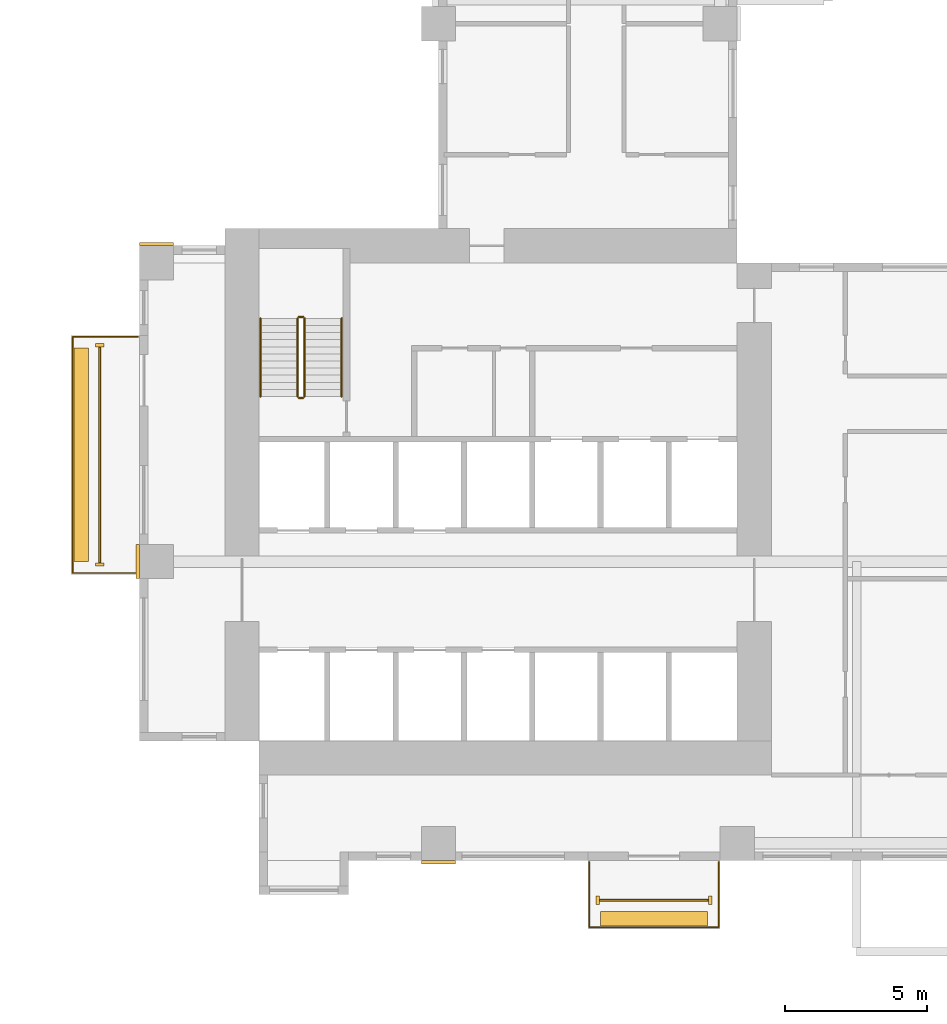
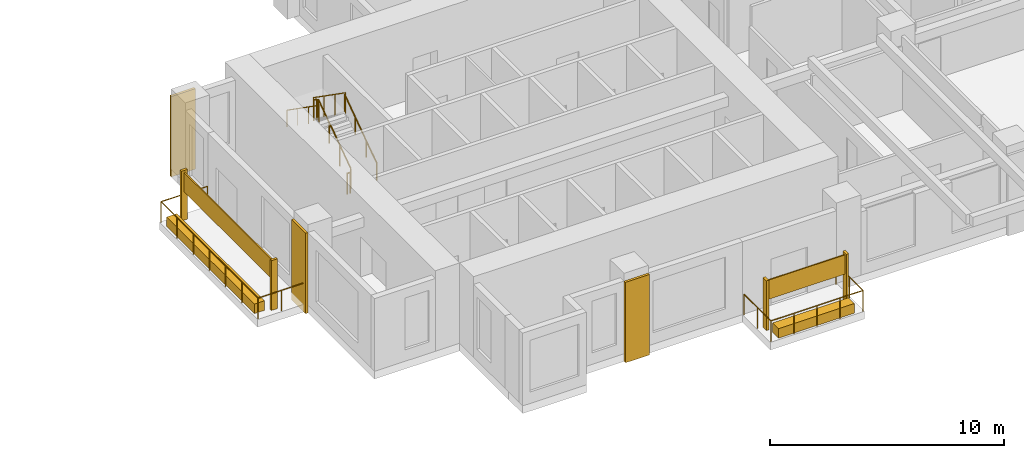
# One storey, part 11 of 15: 11 coverings, 8 railings.
"""IFC4 building model written with IfcOpenShell, lengths in metres."""

from ifc_helpers import new_model, si_unit, direction, frame, origin, origin_2d, place, context, subcontext, project, spatial, rectangle, circle, extrude, source, transform, mapped, material, type_object, element, save


model = new_model("IFC4")

# Units and contexts
model_context = context("Model", 3, precision=1e-05, world=origin(), true_north=direction((0.0, 1.0)))
body_context = subcontext(model_context, "Body", "Model", "MODEL_VIEW")
ifc_project = project(units=[si_unit("LENGTHUNIT", "METRE"), si_unit("AREAUNIT", "SQUARE_METRE"), si_unit("VOLUMEUNIT", "CUBIC_METRE"), si_unit("PLANEANGLEUNIT", "RADIAN"), si_unit("MASSUNIT", "GRAM", prefix="KILO")], contexts=[model_context])

# Site, building, storey
site_placement = place(None, origin())
site = spatial("IfcSite", under=ifc_project, at=site_placement, CompositionType="ELEMENT")
building_placement = place(site_placement, origin())
building = spatial("IfcBuilding", under=site, at=building_placement, Name="Aurelian Terraces", CompositionType="ELEMENT")
storey_placement = place(building_placement, frame((0.0, 0.0, 74.1)))
storey = spatial("IfcBuildingStorey", under=building, at=storey_placement, Name="L15", CompositionType="ELEMENT", Elevation=74.1)

# Railing
ifc_material_1 = material(Name="Anodised aluminium", Category="aluminium")
railing_type_1 = type_object("IfcRailingType", Name="GUARD-1100", PredefinedType="GUARDRAIL", material=ifc_material_1)
railing_1_placement = place(storey_placement, frame((-0.05, 18.4, 0.0)))
element("IfcRailing", 1, at=railing_1_placement, inside=storey, type_object=railing_type_1, Name="Balcony guard L15 F18.39", PredefinedType="GUARDRAIL", context=body_context, shape_type="SweptSolid", body=[
    extrude(circle(Radius=0.024, at=origin_2d()), frame((0.0, 0.0, 1.076), z_axis=(-1.0, 0.0, 0.0), x_axis=(0.0, -1.0, 0.0)), (0.0, 0.0, 1.0), 2.3),
    extrude(circle(Radius=0.024, at=origin_2d()), frame((-2.3, 0.0, 1.076), z_axis=(0.0, -1.0, 0.0), x_axis=(1.0, 0.0, 0.0)), (0.0, 0.0, 1.0), 8.3),
    extrude(circle(Radius=0.024, at=origin_2d()), frame((-2.3, -8.3, 1.076), z_axis=(1.0, 0.0, 0.0), x_axis=(0.0, 1.0, 0.0)), (0.0, 0.0, 1.0), 2.3),
    extrude(circle(Radius=0.021, at=origin_2d()), origin(), (0.0, 0.0, 1.0), 1.052),
    extrude(circle(Radius=0.021, at=origin_2d()), frame((-1.15, 0.0, 0.0)), (0.0, 0.0, 1.0), 1.052),
    extrude(circle(Radius=0.021, at=origin_2d()), frame((-2.3, 0.0, 0.0)), (0.0, 0.0, 1.0), 1.052),
    extrude(circle(Radius=0.021, at=origin_2d()), frame((-2.3, -1.3833, 0.0)), (0.0, 0.0, 1.0), 1.052),
    extrude(circle(Radius=0.021, at=origin_2d()), frame((-2.3, -2.7667, 0.0)), (0.0, 0.0, 1.0), 1.052),
    extrude(circle(Radius=0.021, at=origin_2d()), frame((-2.3, -4.15, 0.0)), (0.0, 0.0, 1.0), 1.052),
    extrude(circle(Radius=0.021, at=origin_2d()), frame((-2.3, -5.5333, 0.0)), (0.0, 0.0, 1.0), 1.052),
    extrude(circle(Radius=0.021, at=origin_2d()), frame((-2.3, -6.9167, 0.0)), (0.0, 0.0, 1.0), 1.052),
    extrude(circle(Radius=0.021, at=origin_2d()), frame((-2.3, -8.3, 0.0)), (0.0, 0.0, 1.0), 1.052),
    extrude(circle(Radius=0.021, at=origin_2d()), frame((-1.15, -8.3, 0.0)), (0.0, 0.0, 1.0), 1.052),
    extrude(circle(Radius=0.021, at=origin_2d()), frame((0.0, -8.3, 0.0)), (0.0, 0.0, 1.0), 1.052),
])

# Coverings
ifc_material_2 = material(Name="Terracotta planter with planting soil", Category="masonry")
covering_type_1 = type_object("IfcCoveringType", Name="PLANTER-TROUGH", PredefinedType="USERDEFINED", material=ifc_material_2)
covering_1_placement = place(storey_placement, frame((-2.05, 14.25, 0.0), z_axis=(0.0, 0.0, 1.0), x_axis=(1.0, 0.0, 0.0)))
element("IfcCovering", 2, at=covering_1_placement, inside=storey, type_object=covering_type_1, Name="PLANTER L15 L15-F18-39", ObjectType="PLANTER", PredefinedType="USERDEFINED", context=body_context, shape_type="SweptSolid", body=[
    extrude(rectangle(XDim=0.5, YDim=7.5, at=origin_2d()), origin(), (0.0, 0.0, 1.0), 0.5),
])
ifc_material_3 = material(Name="Terracotta rainscreen cladding", Category="masonry")
covering_type_2 = type_object("IfcCoveringType", Name="SCREEN-TC", PredefinedType="CLADDING", material=ifc_material_3)
covering_2_placement = place(storey_placement, frame((-1.4, 14.25, 1.5), z_axis=(0.0, 0.0, 1.0), x_axis=(1.0, 0.0, 0.0)))
element("IfcCovering", 3, at=covering_2_placement, inside=storey, type_object=covering_type_2, Name="SCREEN L15 L15-F18-39", PredefinedType="CLADDING", context=body_context, shape_type="SweptSolid", body=[
    extrude(rectangle(XDim=0.06, YDim=7.58, at=origin_2d()), origin(), (0.0, 0.0, 1.0), 1.0),
])
ifc_material_4 = material(Name="Terracotta rainscreen cladding relief", Category="masonry")
covering_type_3 = type_object("IfcCoveringType", Name="FIN-TC", PredefinedType="CLADDING", material=ifc_material_4)
shared_shape_1 = source(origin(), body_context, "Body", "SweptSolid", [
    extrude(rectangle(XDim=0.3, YDim=0.12, at=origin_2d()), origin(), (0.0, 0.0, 1.0), 2.6),
])
for number, where, z_axis, x_axis, name in (
    (4, (-1.4, 18.1, 0.0), (0.0, 0.0, 1.0), (1.0, 0.0, 0.0), "FIN L15 L15-F18-39.1"),
    (5, (-1.4, 10.4, 0.0), (0.0, 0.0, 1.0), (1.0, 0.0, 0.0), "FIN L15 L15-F18-39.2"),
):
    element("IfcCovering", number, at=place(storey_placement, frame(where, z_axis=z_axis, x_axis=x_axis)), inside=storey, type_object=covering_type_3, Name=name, PredefinedType="CLADDING", context=body_context, shape_type="MappedRepresentation", body=[
        mapped(shared_shape_1, transform((0.0, 0.0, 0.0), scale=1.0)),
    ])
covering_type_4 = type_object("IfcCoveringType", Name="BAGUETTE-TC", PredefinedType="CLADDING", material=ifc_material_4)
shared_shape_2 = source(origin(), body_context, "Body", "SweptSolid", [
    extrude(rectangle(XDim=1.2, YDim=0.12, at=origin_2d()), origin(), (0.0, 0.0, 1.0), 4.2),
])
for number, where, z_axis, x_axis, name in (
    (6, (10.5, -0.06, -0.4), (0.0, 0.0, 1.0), (1.0, 0.0, 0.0), "BAGUETTE pier L15 1"),
    (7, (0.6, 21.66, -0.4), (0.0, 0.0, 1.0), (1.0, 0.0, 0.0), "BAGUETTE pier L15 9"),
):
    element("IfcCovering", number, at=place(storey_placement, frame(where, z_axis=z_axis, x_axis=x_axis)), inside=storey, type_object=covering_type_4, Name=name, PredefinedType="CLADDING", context=body_context, shape_type="MappedRepresentation", body=[
        mapped(shared_shape_2, transform((0.0, 0.0, 0.0), scale=1.0)),
    ])
shared_shape_3 = source(origin(), body_context, "Body", "SweptSolid", [
    extrude(rectangle(XDim=0.12, YDim=1.2, at=origin_2d()), origin(), (0.0, 0.0, 1.0), 4.2),
])
covering_3_placement = place(storey_placement, frame((-0.06, 10.5, -0.4), z_axis=(0.0, 0.0, 1.0), x_axis=(1.0, 0.0, 0.0)))
element("IfcCovering", 8, at=covering_3_placement, inside=storey, type_object=covering_type_4, Name="BAGUETTE pier L15 5", PredefinedType="CLADDING", context=body_context, shape_type="MappedRepresentation", body=[
    mapped(shared_shape_3, transform((0.0, 0.0, 0.0), scale=1.0)),
])
shared_shape_4 = source(origin(), body_context, "Body", "SweptSolid", [
    extrude(rectangle(XDim=0.12, YDim=0.3, at=origin_2d()), origin(), (0.0, 0.0, 1.0), 2.6),
])
for number, where, z_axis, x_axis, name in (
    (9, (16.1, -1.4, 0.0), (0.0, 0.0, 1.0), (1.0, 0.0, 0.0), "FIN L15 L15-F01-04.1"),
    (10, (20.05, -1.4, 0.0), (0.0, 0.0, 1.0), (1.0, 0.0, 0.0), "FIN L15 L15-F01-04.2"),
):
    element("IfcCovering", number, at=place(storey_placement, frame(where, z_axis=z_axis, x_axis=x_axis)), inside=storey, type_object=covering_type_3, Name=name, PredefinedType="CLADDING", context=body_context, shape_type="MappedRepresentation", body=[
        mapped(shared_shape_4, transform((0.0, 0.0, 0.0), scale=1.0)),
    ])

# Railing
shared_shape_5 = source(origin(), body_context, "Body", "SweptSolid", [
    extrude(circle(Radius=0.024, at=origin_2d()), frame((0.0, 0.0, 1.076), z_axis=(0.0, -1.0, 0.0), x_axis=(1.0, 0.0, 0.0)), (0.0, 0.0, 1.0), 2.3),
    extrude(circle(Radius=0.024, at=origin_2d()), frame((0.0, -2.3, 1.076), z_axis=(1.0, 0.0, 0.0), x_axis=(0.0, 1.0, 0.0)), (0.0, 0.0, 1.0), 4.55),
    extrude(circle(Radius=0.024, at=origin_2d()), frame((4.55, -2.3, 1.076), z_axis=(0.0, 1.0, 0.0), x_axis=(-1.0, 0.0, 0.0)), (0.0, 0.0, 1.0), 2.3),
    extrude(circle(Radius=0.021, at=origin_2d()), origin(), (0.0, 0.0, 1.0), 1.052),
    extrude(circle(Radius=0.021, at=origin_2d()), frame((0.0, -1.15, 0.0)), (0.0, 0.0, 1.0), 1.052),
    extrude(circle(Radius=0.021, at=origin_2d()), frame((0.0, -2.3, 0.0)), (0.0, 0.0, 1.0), 1.052),
    extrude(circle(Radius=0.021, at=origin_2d()), frame((1.1375, -2.3, 0.0)), (0.0, 0.0, 1.0), 1.052),
    extrude(circle(Radius=0.021, at=origin_2d()), frame((2.275, -2.3, 0.0)), (0.0, 0.0, 1.0), 1.052),
    extrude(circle(Radius=0.021, at=origin_2d()), frame((3.4125, -2.3, 0.0)), (0.0, 0.0, 1.0), 1.052),
    extrude(circle(Radius=0.021, at=origin_2d()), frame((4.55, -2.3, 0.0)), (0.0, 0.0, 1.0), 1.052),
    extrude(circle(Radius=0.021, at=origin_2d()), frame((4.55, -1.15, 0.0)), (0.0, 0.0, 1.0), 1.052),
    extrude(circle(Radius=0.021, at=origin_2d()), frame((4.55, 0.0, 0.0)), (0.0, 0.0, 1.0), 1.052),
])
railing_2_placement = place(storey_placement, frame((15.8, -0.05, 0.0)))
element("IfcRailing", 11, at=railing_2_placement, inside=storey, type_object=railing_type_1, Name="Balcony guard L15 F01.4", PredefinedType="GUARDRAIL", context=body_context, shape_type="MappedRepresentation", body=[
    mapped(shared_shape_5, transform((0.0, 0.0, 0.0), scale=1.0)),
])

# Coverings
shared_shape_6 = source(origin(), body_context, "Body", "SweptSolid", [
    extrude(rectangle(XDim=3.75, YDim=0.5, at=origin_2d()), origin(), (0.0, 0.0, 1.0), 0.5),
])
covering_4_placement = place(storey_placement, frame((18.075, -2.05, 0.0), z_axis=(0.0, 0.0, 1.0), x_axis=(1.0, 0.0, 0.0)))
element("IfcCovering", 12, at=covering_4_placement, inside=storey, type_object=covering_type_1, Name="PLANTER L15 L15-F01-04", ObjectType="PLANTER", PredefinedType="USERDEFINED", context=body_context, shape_type="MappedRepresentation", body=[
    mapped(shared_shape_6, transform((0.0, 0.0, 0.0), scale=1.0)),
])
shared_shape_7 = source(origin(), body_context, "Body", "SweptSolid", [
    extrude(rectangle(XDim=3.83, YDim=0.06, at=origin_2d()), origin(), (0.0, 0.0, 1.0), 1.0),
])
covering_5_placement = place(storey_placement, frame((18.075, -1.4, 1.5), z_axis=(0.0, 0.0, 1.0), x_axis=(1.0, 0.0, 0.0)))
element("IfcCovering", 13, at=covering_5_placement, inside=storey, type_object=covering_type_2, Name="SCREEN L15 L15-F01-04", PredefinedType="CLADDING", context=body_context, shape_type="MappedRepresentation", body=[
    mapped(shared_shape_7, transform((0.0, 0.0, 0.0), scale=1.0)),
])

# Railings
ifc_material_5 = material(Name="Stainless steel", Category="steel")
railing_type_2 = type_object("IfcRailingType", Name="Stair guard 1100", PredefinedType="GUARDRAIL", material=ifc_material_5)
shared_shape_8 = source(origin(), body_context, "Body", "SweptSolid", [
    extrude(circle(Radius=0.024, at=origin_2d()), frame((0.0, 0.0, 1.076), z_axis=(-1.0, 0.0, 0.0), x_axis=(0.0, -1.0, 0.0)), (0.0, 0.0, 1.0), 0.15),
    extrude(circle(Radius=0.021, at=origin_2d()), origin(), (0.0, 0.0, 1.0), 1.052),
    extrude(circle(Radius=0.021, at=origin_2d()), frame((-0.15, 0.0, 0.0)), (0.0, 0.0, 1.0), 1.052),
])
for number, where, name in (
    (14, (5.75, 19.1, 2.1), "L15 S1 stair guard 2"),
    (15, (5.75, 16.25, 0.0), "L15 S1 stair guard 4"),
):
    element("IfcRailing", number, at=place(storey_placement, frame(where)), inside=storey, type_object=railing_type_2, Name=name, PredefinedType="GUARDRAIL", context=body_context, shape_type="MappedRepresentation", body=[
        mapped(shared_shape_8, transform((0.0, 0.0, 0.0), scale=1.0)),
    ])
shared_shape_9 = source(origin(), body_context, "Body", "SweptSolid", [
    extrude(circle(Radius=0.024, at=origin_2d()), frame((0.0, 0.0, 1.076), z_axis=(0.0, 0.819231920519, 0.573462344363), x_axis=(-1.0, 0.0, 0.0)), (0.0, 0.0, 1.0), 3.3568),
    extrude(circle(Radius=0.021, at=origin_2d()), origin(), (0.0, 0.0, 1.0), 1.052),
    extrude(circle(Radius=0.021, at=origin_2d()), frame((0.0, 0.9167, 0.6417)), (0.0, 0.0, 1.0), 1.052),
    extrude(circle(Radius=0.021, at=origin_2d()), frame((0.0, 1.8333, 1.2833)), (0.0, 0.0, 1.0), 1.052),
    extrude(circle(Radius=0.021, at=origin_2d()), frame((0.0, 2.75, 1.925)), (0.0, 0.0, 1.0), 1.052),
])
railing_3_placement = place(storey_placement, frame((5.8, 16.3, 0.175)))
element("IfcRailing", 16, at=railing_3_placement, inside=storey, type_object=railing_type_2, Name="L15 S1 stair guard 1", PredefinedType="GUARDRAIL", context=body_context, shape_type="MappedRepresentation", body=[
    mapped(shared_shape_9, transform((0.0, 0.0, 0.0), scale=1.0)),
])
shared_shape_10 = source(origin(), body_context, "Body", "SweptSolid", [
    extrude(circle(Radius=0.024, at=origin_2d()), frame((0.0, 0.0, 1.076), z_axis=(0.0, -0.819231920519, 0.573462344363), x_axis=(1.0, 0.0, 0.0)), (0.0, 0.0, 1.0), 3.3568),
    extrude(circle(Radius=0.021, at=origin_2d()), origin(), (0.0, 0.0, 1.0), 1.052),
    extrude(circle(Radius=0.021, at=origin_2d()), frame((0.0, -0.9167, 0.6417)), (0.0, 0.0, 1.0), 1.052),
    extrude(circle(Radius=0.021, at=origin_2d()), frame((0.0, -1.8333, 1.2833)), (0.0, 0.0, 1.0), 1.052),
    extrude(circle(Radius=0.021, at=origin_2d()), frame((0.0, -2.75, 1.925)), (0.0, 0.0, 1.0), 1.052),
])
railing_4_placement = place(storey_placement, frame((5.55, 19.05, 2.275)))
element("IfcRailing", 17, at=railing_4_placement, inside=storey, type_object=railing_type_2, Name="L15 S1 stair guard 3", PredefinedType="GUARDRAIL", context=body_context, shape_type="MappedRepresentation", body=[
    mapped(shared_shape_10, transform((0.0, 0.0, 0.0), scale=1.0)),
])
railing_type_3 = type_object("IfcRailingType", Name="Stair handrail", PredefinedType="HANDRAIL", material=ifc_material_5)
shared_shape_11 = source(origin(), body_context, "Body", "SweptSolid", [
    extrude(circle(Radius=0.024, at=origin_2d()), frame((0.0, 0.0, 0.876), z_axis=(0.0, 0.819231920519, 0.573462344363), x_axis=(-1.0, 0.0, 0.0)), (0.0, 0.0, 1.0), 3.3568),
    extrude(circle(Radius=0.021, at=origin_2d()), origin(), (0.0, 0.0, 1.0), 0.852),
    extrude(circle(Radius=0.021, at=origin_2d()), frame((0.0, 0.9167, 0.6417)), (0.0, 0.0, 1.0), 0.852),
    extrude(circle(Radius=0.021, at=origin_2d()), frame((0.0, 1.8333, 1.2833)), (0.0, 0.0, 1.0), 0.852),
    extrude(circle(Radius=0.021, at=origin_2d()), frame((0.0, 2.75, 1.925)), (0.0, 0.0, 1.0), 0.852),
])
railing_5_placement = place(storey_placement, frame((7.1, 16.3, 0.175)))
element("IfcRailing", 18, at=railing_5_placement, inside=storey, type_object=railing_type_3, Name="L15 S1 stair handrail 1", PredefinedType="HANDRAIL", context=body_context, shape_type="MappedRepresentation", body=[
    mapped(shared_shape_11, transform((0.0, 0.0, 0.0), scale=1.0)),
])
shared_shape_12 = source(origin(), body_context, "Body", "SweptSolid", [
    extrude(circle(Radius=0.024, at=origin_2d()), frame((0.0, 0.0, 0.876), z_axis=(0.0, -0.819231920519, 0.573462344363), x_axis=(1.0, 0.0, 0.0)), (0.0, 0.0, 1.0), 3.3568),
    extrude(circle(Radius=0.021, at=origin_2d()), origin(), (0.0, 0.0, 1.0), 0.852),
    extrude(circle(Radius=0.021, at=origin_2d()), frame((0.0, -0.9167, 0.6417)), (0.0, 0.0, 1.0), 0.852),
    extrude(circle(Radius=0.021, at=origin_2d()), frame((0.0, -1.8333, 1.2833)), (0.0, 0.0, 1.0), 0.852),
    extrude(circle(Radius=0.021, at=origin_2d()), frame((0.0, -2.75, 1.925)), (0.0, 0.0, 1.0), 0.852),
])
railing_6_placement = place(storey_placement, frame((4.25, 19.05, 2.275)))
element("IfcRailing", 19, at=railing_6_placement, inside=storey, type_object=railing_type_3, Name="L15 S1 stair handrail 2", PredefinedType="HANDRAIL", context=body_context, shape_type="MappedRepresentation", body=[
    mapped(shared_shape_12, transform((0.0, 0.0, 0.0), scale=1.0)),
])

save(model, "model.ifc")
